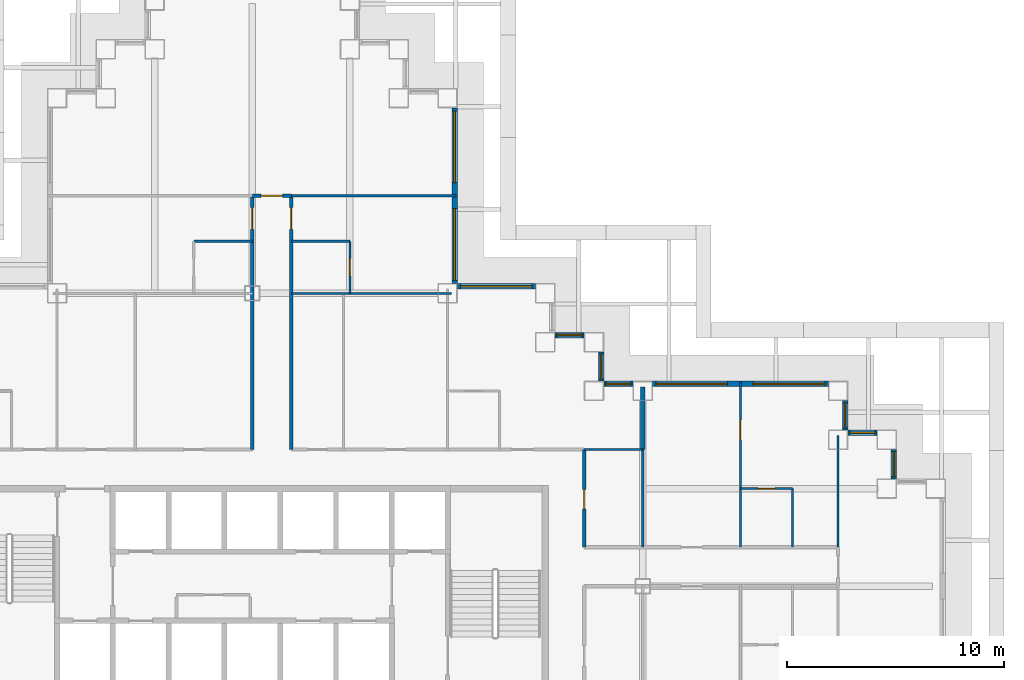
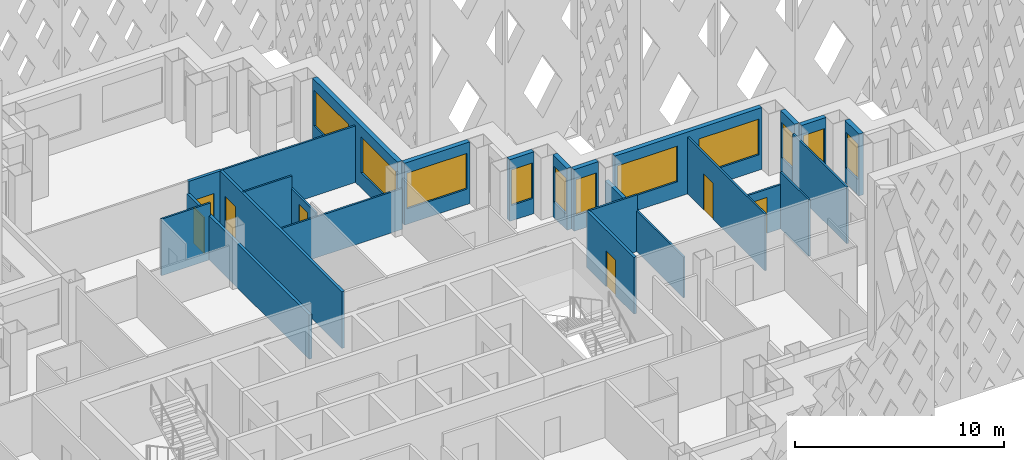
# One storey, part 8 of 21: 25 walls, 11 windows, 7 doors, 18 openings.
"""IFC4 building model written with IfcOpenShell, lengths in metres."""

from ifc_helpers import new_model, si_unit, direction, frame, frame_2d, origin, place, context, subcontext, project, spatial, rectangle, extrude, material, layer, layer_set, type_object, element, fill, save


model = new_model("IFC4")

# Units and contexts
model_context = context("Model", 3, precision=1e-05, world=origin(), true_north=direction((0.0, 1.0)))
body_context = subcontext(model_context, "Body", "Model", "MODEL_VIEW")
ifc_project = project(units=[si_unit("LENGTHUNIT", "METRE"), si_unit("AREAUNIT", "SQUARE_METRE"), si_unit("VOLUMEUNIT", "CUBIC_METRE"), si_unit("PLANEANGLEUNIT", "RADIAN"), si_unit("MASSUNIT", "GRAM", prefix="KILO")], contexts=[model_context])

# Site, building, storey
site_placement = place(None, origin())
site = spatial("IfcSite", under=ifc_project, at=site_placement, CompositionType="ELEMENT")
building_placement = place(site_placement, origin())
building = spatial("IfcBuilding", under=site, at=building_placement, Name="Caravel Reach Hotel and Residences", CompositionType="ELEMENT")
storey_placement = place(building_placement, frame((0.0, 0.0, 100.800048828125)))
storey = spatial("IfcBuildingStorey", under=building, at=storey_placement, Name="L24", CompositionType="ELEMENT", Elevation=100.800048828125)

# Wall, opening, door
ifc_material_1 = material(Name="Gypsum board on steel stud", Category="steel")
ifc_layer_1 = layer(ifc_material_1, 0.10009765625)
ifc_layer_set_1 = layer_set([ifc_layer_1], Name="Bathroom pod wall 100 mm")
wall_type_1 = type_object("IfcWallType", Name="Bathroom pod wall 100 mm", PredefinedType="PARTITIONING", material=ifc_layer_set_1)
wall_1_placement = place(storey_placement, frame((54.0, 31.5, 0.0), z_axis=(0.0, 0.0, 1.0), x_axis=(1.0, 0.0, 0.0)))
wall_1 = element("IfcWall", 1, at=wall_1_placement, inside=storey, type_object=wall_type_1, Name="L24 wall w091", PredefinedType="PARTITIONING", context=body_context, shape_type="SweptSolid", body=[
    extrude(rectangle(XDim=2.39990234375, YDim=0.10009765625, at=frame_2d((1.199951171875, 0.0))), origin(), (0.0, 0.0, 1.0), 2.579833984375),
])
opening_1_placement = place(wall_1_placement, frame((0.800048828125, 0.0, 0.0)))
opening_1 = element("IfcOpeningElement", 2, at=opening_1_placement, cuts=wall_1, Name="Opening D24-027", PredefinedType="OPENING", context=body_context, shape_type="SweptSolid", body=[
    extrude(rectangle(XDim=0.800048828125, YDim=2.10009765625, at=frame_2d((0.39990234375, 1.050048828125))), frame((0.0, 0.06005859375, 0.0), z_axis=(0.0, -1.0, 0.0), x_axis=(1.0, 0.0, 0.0)), (0.0, 0.0, 1.0), 0.1201171875),
])
ifc_material_2 = material(Name="Timber and steel door leaf", Category="steel")
door_type_1 = type_object("IfcDoorType", Name="Bathroom door 800 x 2100", OperationType="SINGLE_SWING_LEFT", PredefinedType="DOOR", material=ifc_material_2)
door_1_placement = place(opening_1_placement, origin())
door_1 = element("IfcDoor", 3, at=door_1_placement, inside=storey, type_object=door_type_1, Name="door D24-027", OperationType="SINGLE_SWING_LEFT", OverallHeight=2.10009765625, OverallWidth=0.800048828125, PredefinedType="DOOR", context=body_context, shape_type="SweptSolid", body=[
    extrude(rectangle(XDim=0.800048828125, YDim=2.10009765625, at=frame_2d((0.39990234375, 1.050048828125))), frame((0.0, 0.02490234375, 0.0), z_axis=(0.0, -1.0, 0.0), x_axis=(1.0, 0.0, 0.0)), (0.0, 0.0, 1.0), 0.050048828125),
])
fill(opening_1, door_1)

# Walls
for number, where, z_axis, x_axis, name in (
    (4, (33.300048828125, 42.89990234375, 0.0), (0.0, 0.0, 1.0), (1.0, 0.0, 0.0), "L24 wall w094"),
    (5, (28.800048828125, 42.89990234375, 0.0), (0.0, 0.0, 1.0), (1.0, 0.0, 0.0), "L24 wall w095"),
):
    element("IfcWall", number, at=place(storey_placement, frame(where, z_axis=z_axis, x_axis=x_axis)), inside=storey, type_object=wall_type_1, Name=name, PredefinedType="PARTITIONING", context=body_context, shape_type="SweptSolid", body=[
        extrude(rectangle(XDim=2.699951171875, YDim=0.10009765625, at=frame_2d((1.35009765625, 0.0))), origin(), (0.0, 0.0, 1.0), 3.300048828125),
    ])

# Wall, opening, door
wall_2_placement = place(storey_placement, frame((36.0, 40.5, 0.0), z_axis=(0.0, 0.0, 1.0), x_axis=(0.0, 1.0, 0.0)))
wall_2 = element("IfcWall", 6, at=wall_2_placement, inside=storey, type_object=wall_type_1, Name="L24 wall w110", PredefinedType="PARTITIONING", context=body_context, shape_type="SweptSolid", body=[
    extrude(rectangle(XDim=2.39990234375, YDim=0.10009765625, at=frame_2d((1.199951171875, 0.0))), origin(), (0.0, 0.0, 1.0), 2.579833984375),
])
opening_2_placement = place(wall_2_placement, frame((0.800048828125, 0.0, 0.0)))
opening_2 = element("IfcOpeningElement", 7, at=opening_2_placement, cuts=wall_2, Name="Opening D24-031", PredefinedType="OPENING", context=body_context, shape_type="SweptSolid", body=[
    extrude(rectangle(XDim=0.800048828125, YDim=2.10009765625, at=frame_2d((0.39990234375, 1.050048828125))), frame((0.0, 0.06005859375, 0.0), z_axis=(0.0, -1.0, 0.0), x_axis=(1.0, 0.0, 0.0)), (0.0, 0.0, 1.0), 0.1201171875),
])
door_2_placement = place(opening_2_placement, origin())
door_2 = element("IfcDoor", 8, at=door_2_placement, inside=storey, type_object=door_type_1, Name="door D24-031", OperationType="SINGLE_SWING_RIGHT", OverallHeight=2.10009765625, OverallWidth=0.800048828125, PredefinedType="DOOR", context=body_context, shape_type="SweptSolid", body=[
    extrude(rectangle(XDim=0.800048828125, YDim=2.10009765625, at=frame_2d((0.39990234375, 1.050048828125))), frame((0.0, 0.02490234375, 0.0), z_axis=(0.0, -1.0, 0.0), x_axis=(1.0, 0.0, 0.0)), (0.0, 0.0, 1.0), 0.050048828125),
])
fill(opening_2, door_2)

# Wall
wall_3_placement = place(storey_placement, frame((56.39990234375, 28.800048828125, 0.0), z_axis=(0.0, 0.0, 1.0), x_axis=(0.0, 1.0, 0.0)))
element("IfcWall", 9, at=wall_3_placement, inside=storey, type_object=wall_type_1, Name="L24 wall w113", PredefinedType="PARTITIONING", context=body_context, shape_type="SweptSolid", body=[
    extrude(rectangle(XDim=2.699951171875, YDim=0.10009765625, at=frame_2d((1.35009765625, 0.0))), origin(), (0.0, 0.0, 1.0), 3.300048828125),
])

# Wall, opening, door
ifc_material_3 = material(Name="Gypsum board on steel stud, fire-rated", Category="steel")
ifc_layer_2 = layer(ifc_material_3, 0.14990234375)
ifc_layer_set_2 = layer_set([ifc_layer_2], Name="Corridor wall 150 mm EI 60")
wall_type_2 = type_object("IfcWallType", Name="Corridor wall 150 mm EI 60", PredefinedType="PARTITIONING", material=ifc_layer_set_2)
wall_4_placement = place(storey_placement, frame((31.5, 45.0, 0.0), z_axis=(0.0, 0.0, 1.0), x_axis=(1.0, 0.0, 0.0)))
wall_4 = element("IfcWall", 10, at=wall_4_placement, inside=storey, type_object=wall_type_2, Name="L24 wall w025", PredefinedType="PARTITIONING", context=body_context, shape_type="SweptSolid", body=[
    extrude(rectangle(XDim=1.800048828125, YDim=0.14990234375, at=frame_2d((0.89990234375, 0.0))), origin(), (0.0, 0.0, 1.0), 3.300048828125),
])
opening_3_placement = place(wall_4_placement, frame((0.39990234375, 0.0, 0.0)))
opening_3 = element("IfcOpeningElement", 11, at=opening_3_placement, cuts=wall_4, Name="Opening D24-042", PredefinedType="OPENING", context=body_context, shape_type="SweptSolid", body=[
    extrude(rectangle(XDim=1.0, YDim=2.10009765625, at=frame_2d((0.5, 1.050048828125))), frame((0.0, 0.0849609375, 0.0), z_axis=(0.0, -1.0, 0.0), x_axis=(1.0, 0.0, 0.0)), (0.0, 0.0, 1.0), 0.169921875),
])
ifc_material_4 = material(Name="Steel fire door leaf", Category="steel")
door_type_2 = type_object("IfcDoorType", Name="Guest room door 1000 x 2100 EI 30", OperationType="SINGLE_SWING_LEFT", PredefinedType="DOOR", material=ifc_material_4)
door_3_placement = place(opening_3_placement, origin())
door_3 = element("IfcDoor", 12, at=door_3_placement, inside=storey, type_object=door_type_2, Name="door D24-042", OperationType="SINGLE_SWING_LEFT", OverallHeight=2.10009765625, OverallWidth=1.0, PredefinedType="DOOR", context=body_context, shape_type="SweptSolid", body=[
    extrude(rectangle(XDim=1.0, YDim=2.10009765625, at=frame_2d((0.5, 1.050048828125))), frame((0.0, 0.02490234375, 0.0), z_axis=(0.0, -1.0, 0.0), x_axis=(1.0, 0.0, 0.0)), (0.0, 0.0, 1.0), 0.050048828125),
])
fill(opening_3, door_3)

wall_5_placement = place(storey_placement, frame((31.5, 33.300048828125, 0.0), z_axis=(0.0, 0.0, 1.0), x_axis=(0.0, 1.0, 0.0)))
wall_5 = element("IfcWall", 13, at=wall_5_placement, inside=storey, type_object=wall_type_2, Name="L24 wall w034", PredefinedType="PARTITIONING", context=body_context, shape_type="SweptSolid", body=[
    extrude(rectangle(XDim=11.699951171875, YDim=0.14990234375, at=frame_2d((5.85009765625, 0.0))), origin(), (0.0, 0.0, 1.0), 2.579833984375),
])
opening_4_placement = place(wall_5_placement, frame((10.14990234375, 0.0, 0.0)))
opening_4 = element("IfcOpeningElement", 14, at=opening_4_placement, cuts=wall_5, Name="Opening D24-028", PredefinedType="OPENING", context=body_context, shape_type="SweptSolid", body=[
    extrude(rectangle(XDim=1.0, YDim=2.10009765625, at=frame_2d((0.5, 1.050048828125))), frame((0.0, 0.0849609375, 0.0), z_axis=(0.0, -1.0, 0.0), x_axis=(1.0, 0.0, 0.0)), (0.0, 0.0, 1.0), 0.169921875),
])
door_4_placement = place(opening_4_placement, origin())
door_4 = element("IfcDoor", 15, at=door_4_placement, inside=storey, type_object=door_type_2, Name="door D24-028", OperationType="SINGLE_SWING_RIGHT", OverallHeight=2.10009765625, OverallWidth=1.0, PredefinedType="DOOR", context=body_context, shape_type="SweptSolid", body=[
    extrude(rectangle(XDim=1.0, YDim=2.10009765625, at=frame_2d((0.5, 1.050048828125))), frame((0.0, 0.02490234375, 0.0), z_axis=(0.0, -1.0, 0.0), x_axis=(1.0, 0.0, 0.0)), (0.0, 0.0, 1.0), 0.050048828125),
])
fill(opening_4, door_4)

wall_6_placement = place(storey_placement, frame((33.300048828125, 33.300048828125, 0.0), z_axis=(0.0, 0.0, 1.0), x_axis=(0.0, 1.0, 0.0)))
wall_6 = element("IfcWall", 16, at=wall_6_placement, inside=storey, type_object=wall_type_2, Name="L24 wall w037", PredefinedType="PARTITIONING", context=body_context, shape_type="SweptSolid", body=[
    extrude(rectangle(XDim=11.699951171875, YDim=0.14990234375, at=frame_2d((5.85009765625, 0.0))), origin(), (0.0, 0.0, 1.0), 3.300048828125),
])
opening_5_placement = place(wall_6_placement, frame((10.14990234375, 0.0, 0.0)))
opening_5 = element("IfcOpeningElement", 17, at=opening_5_placement, cuts=wall_6, Name="Opening D24-030", PredefinedType="OPENING", context=body_context, shape_type="SweptSolid", body=[
    extrude(rectangle(XDim=1.0, YDim=2.10009765625, at=frame_2d((0.5, 1.050048828125))), frame((0.0, 0.0849609375, 0.0), z_axis=(0.0, -1.0, 0.0), x_axis=(1.0, 0.0, 0.0)), (0.0, 0.0, 1.0), 0.169921875),
])
door_5_placement = place(opening_5_placement, origin())
door_5 = element("IfcDoor", 18, at=door_5_placement, inside=storey, type_object=door_type_2, Name="door D24-030", OperationType="SINGLE_SWING_RIGHT", OverallHeight=2.10009765625, OverallWidth=1.0, PredefinedType="DOOR", context=body_context, shape_type="SweptSolid", body=[
    extrude(rectangle(XDim=1.0, YDim=2.10009765625, at=frame_2d((0.5, 1.050048828125))), frame((0.0, 0.02490234375, 0.0), z_axis=(0.0, -1.0, 0.0), x_axis=(1.0, 0.0, 0.0)), (0.0, 0.0, 1.0), 0.050048828125),
])
fill(opening_5, door_5)

wall_7_placement = place(storey_placement, frame((46.800048828125, 28.800048828125, 0.0), z_axis=(0.0, 0.0, 1.0), x_axis=(0.0, 1.0, 0.0)))
wall_7 = element("IfcWall", 19, at=wall_7_placement, inside=storey, type_object=wall_type_2, Name="L24 wall w039", PredefinedType="PARTITIONING", context=body_context, shape_type="SweptSolid", body=[
    extrude(rectangle(XDim=4.5, YDim=0.14990234375, at=frame_2d((2.25, 0.0))), origin(), (0.0, 0.0, 1.0), 3.300048828125),
])
opening_6_placement = place(wall_7_placement, frame((1.75, 0.0, 0.0)))
opening_6 = element("IfcOpeningElement", 20, at=opening_6_placement, cuts=wall_7, Name="Opening D24-064", PredefinedType="OPENING", context=body_context, shape_type="SweptSolid", body=[
    extrude(rectangle(XDim=0.89990234375, YDim=2.10009765625, at=frame_2d((0.449951171875, 1.050048828125))), frame((0.0, 0.0849609375, 0.0), z_axis=(0.0, -1.0, 0.0), x_axis=(1.0, 0.0, 0.0)), (0.0, 0.0, 1.0), 0.169921875),
])
ifc_material_5 = material(Name="Timber and steel door leaf", Category="steel")
door_type_3 = type_object("IfcDoorType", Name="Door 900 x 2100 timber", OperationType="SINGLE_SWING_LEFT", PredefinedType="DOOR", material=ifc_material_5)
door_6_placement = place(opening_6_placement, origin())
door_6 = element("IfcDoor", 21, at=door_6_placement, inside=storey, type_object=door_type_3, Name="door D24-064", OperationType="SINGLE_SWING_LEFT", OverallHeight=2.10009765625, OverallWidth=0.89990234375, PredefinedType="DOOR", context=body_context, shape_type="SweptSolid", body=[
    extrude(rectangle(XDim=0.89990234375, YDim=2.10009765625, at=frame_2d((0.449951171875, 1.050048828125))), frame((0.0, 0.02490234375, 0.0), z_axis=(0.0, -1.0, 0.0), x_axis=(1.0, 0.0, 0.0)), (0.0, 0.0, 1.0), 0.050048828125),
])
fill(opening_6, door_6)

# Wall, opening, window
ifc_material_6 = material(Name="Insulated rainscreen wall, aluminium cladding", Category="aluminium")
ifc_layer_3 = layer(ifc_material_6, 0.25)
ifc_layer_set_3 = layer_set([ifc_layer_3], Name="EW1 Tower rainscreen wall")
wall_type_3 = type_object("IfcWallType", Name="EW1 Tower rainscreen wall", PredefinedType="SOLIDWALL", material=ifc_layer_set_3)
wall_8_placement = place(storey_placement, frame((61.074951171875, 31.949951171875, 0.0), z_axis=(0.0, 0.0, 1.0), x_axis=(0.0, 1.0, 0.0)))
wall_8 = element("IfcWall", 22, at=wall_8_placement, inside=storey, type_object=wall_type_3, Name="External wall L24 E22.1", PredefinedType="SOLIDWALL", context=body_context, shape_type="SweptSolid", body=[
    extrude(rectangle(XDim=1.35009765625, YDim=0.25, at=frame_2d((0.675048828125, 0.0))), origin(), (0.0, 0.0, 1.0), 3.599853515625),
])
opening_7_placement = place(wall_8_placement, frame((0.10009765625, 0.0, 0.89990234375)))
opening_7 = element("IfcOpeningElement", 23, at=opening_7_placement, cuts=wall_8, Name="Opening WN8", PredefinedType="OPENING", context=body_context, shape_type="SweptSolid", body=[
    extrude(rectangle(XDim=1.14990234375, YDim=2.080078125, at=frame_2d((0.574951171875, 1.0400390625))), frame((0.0, 0.135009765625, 0.0), z_axis=(0.0, -1.0, 0.0), x_axis=(1.0, 0.0, 0.0)), (0.0, 0.0, 1.0), 0.27001953125),
])
ifc_material_7 = material(Name="Dark low-e glazing in black aluminium frame", Category="aluminium")
window_type_1 = type_object("IfcWindowType", Name="Hotel suite corner window 1150 x 2080", PartitioningType="SINGLE_PANEL", PredefinedType="WINDOW", material=ifc_material_7)
window_1_placement = place(opening_7_placement, origin())
window_1 = element("IfcWindow", 24, at=window_1_placement, inside=storey, type_object=window_type_1, Name="Window L24 E22.1.1", OverallHeight=2.080078125, OverallWidth=1.14990234375, PartitioningType="SINGLE_PANEL", PredefinedType="WINDOW", context=body_context, shape_type="SweptSolid", body=[
    extrude(rectangle(XDim=1.14990234375, YDim=2.080078125, at=frame_2d((0.574951171875, 1.0400390625))), frame((0.0, 0.030029296875, 0.0), z_axis=(0.0, -1.0, 0.0), x_axis=(1.0, 0.0, 0.0)), (0.0, 0.0, 1.0), 0.06005859375),
])
fill(opening_7, window_1)

wall_9_placement = place(storey_placement, frame((60.300048828125, 34.074951171875, 0.0), z_axis=(0.0, 0.0, 1.0), x_axis=(-1.0, 0.0, 0.0)))
wall_9 = element("IfcWall", 25, at=wall_9_placement, inside=storey, type_object=wall_type_3, Name="External wall L24 N23.1", PredefinedType="SOLIDWALL", context=body_context, shape_type="SweptSolid", body=[
    extrude(rectangle(XDim=1.35009765625, YDim=0.25, at=frame_2d((0.675048828125, 0.0))), origin(), (0.0, 0.0, 1.0), 3.599853515625),
])
opening_8_placement = place(wall_9_placement, frame((0.10009765625, 0.0, 0.89990234375)))
opening_8 = element("IfcOpeningElement", 26, at=opening_8_placement, cuts=wall_9, Name="Opening WN8", PredefinedType="OPENING", context=body_context, shape_type="SweptSolid", body=[
    extrude(rectangle(XDim=1.14990234375, YDim=2.080078125, at=frame_2d((0.574951171875, 1.0400390625))), frame((0.0, 0.135009765625, 0.0), z_axis=(0.0, -1.0, 0.0), x_axis=(1.0, 0.0, 0.0)), (0.0, 0.0, 1.0), 0.27001953125),
])
window_2_placement = place(opening_8_placement, origin())
window_2 = element("IfcWindow", 27, at=window_2_placement, inside=storey, type_object=window_type_1, Name="Window L24 N23.1.1", OverallHeight=2.080078125, OverallWidth=1.14990234375, PartitioningType="SINGLE_PANEL", PredefinedType="WINDOW", context=body_context, shape_type="SweptSolid", body=[
    extrude(rectangle(XDim=1.14990234375, YDim=2.080078125, at=frame_2d((0.574951171875, 1.0400390625))), frame((0.0, 0.030029296875, 0.0), z_axis=(0.0, -1.0, 0.0), x_axis=(1.0, 0.0, 0.0)), (0.0, 0.0, 1.0), 0.06005859375),
])
fill(opening_8, window_2)

wall_10_placement = place(storey_placement, frame((58.824951171875, 34.199951171875, 0.0), z_axis=(0.0, 0.0, 1.0), x_axis=(0.0, 1.0, 0.0)))
wall_10 = element("IfcWall", 28, at=wall_10_placement, inside=storey, type_object=wall_type_3, Name="External wall L24 E24.1", PredefinedType="SOLIDWALL", context=body_context, shape_type="SweptSolid", body=[
    extrude(rectangle(XDim=1.35009765625, YDim=0.25, at=frame_2d((0.675048828125, 0.0))), origin(), (0.0, 0.0, 1.0), 3.599853515625),
])
opening_9_placement = place(wall_10_placement, frame((0.10009765625, 0.0, 0.89990234375)))
opening_9 = element("IfcOpeningElement", 29, at=opening_9_placement, cuts=wall_10, Name="Opening WN8", PredefinedType="OPENING", context=body_context, shape_type="SweptSolid", body=[
    extrude(rectangle(XDim=1.14990234375, YDim=2.080078125, at=frame_2d((0.574951171875, 1.0400390625))), frame((0.0, 0.135009765625, 0.0), z_axis=(0.0, -1.0, 0.0), x_axis=(1.0, 0.0, 0.0)), (0.0, 0.0, 1.0), 0.27001953125),
])
window_3_placement = place(opening_9_placement, origin())
window_3 = element("IfcWindow", 30, at=window_3_placement, inside=storey, type_object=window_type_1, Name="Window L24 E24.1.1", OverallHeight=2.080078125, OverallWidth=1.14990234375, PartitioningType="SINGLE_PANEL", PredefinedType="WINDOW", context=body_context, shape_type="SweptSolid", body=[
    extrude(rectangle(XDim=1.14990234375, YDim=2.080078125, at=frame_2d((0.574951171875, 1.0400390625))), frame((0.0, 0.030029296875, 0.0), z_axis=(0.0, -1.0, 0.0), x_axis=(1.0, 0.0, 0.0)), (0.0, 0.0, 1.0), 0.06005859375),
])
fill(opening_9, window_3)

# Wall, openings, windows
wall_11_placement = place(storey_placement, frame((58.050048828125, 36.324951171875, 0.0), z_axis=(0.0, 0.0, 1.0), x_axis=(-1.0, 0.0, 0.0)))
wall_11 = element("IfcWall", 31, at=wall_11_placement, inside=storey, type_object=wall_type_3, Name="External wall L24 N25.1", PredefinedType="SOLIDWALL", context=body_context, shape_type="SweptSolid", body=[
    extrude(rectangle(XDim=8.10009765625, YDim=0.25, at=frame_2d((4.050048828125, 0.0))), origin(), (0.0, 0.0, 1.0), 3.599853515625),
])
opening_10_placement = place(wall_11_placement, frame((0.14990234375, 0.0, 0.89990234375)))
opening_10 = element("IfcOpeningElement", 32, at=opening_10_placement, cuts=wall_11, Name="Opening WN4", PredefinedType="OPENING", context=body_context, shape_type="SweptSolid", body=[
    extrude(rectangle(XDim=3.300048828125, YDim=2.080078125, at=frame_2d((1.64990234375, 1.0400390625))), frame((0.0, 0.135009765625, 0.0), z_axis=(0.0, -1.0, 0.0), x_axis=(1.0, 0.0, 0.0)), (0.0, 0.0, 1.0), 0.27001953125),
])
opening_11_placement = place(wall_11_placement, frame((4.64990234375, 0.0, 0.89990234375)))
opening_11 = element("IfcOpeningElement", 33, at=opening_11_placement, cuts=wall_11, Name="Opening WN4", PredefinedType="OPENING", context=body_context, shape_type="SweptSolid", body=[
    extrude(rectangle(XDim=3.300048828125, YDim=2.080078125, at=frame_2d((1.64990234375, 1.0400390625))), frame((0.0, 0.135009765625, 0.0), z_axis=(0.0, -1.0, 0.0), x_axis=(1.0, 0.0, 0.0)), (0.0, 0.0, 1.0), 0.27001953125),
])
ifc_material_8 = material(Name="Dark low-e glazing in black aluminium frame", Category="aluminium")
window_type_2 = type_object("IfcWindowType", Name="Hotel guest room window 3300 x 2080", PartitioningType="SINGLE_PANEL", PredefinedType="WINDOW", material=ifc_material_8)
window_4_placement = place(opening_10_placement, origin())
window_4 = element("IfcWindow", 34, at=window_4_placement, inside=storey, type_object=window_type_2, Name="Window L24 N25.1.1", OverallHeight=2.080078125, OverallWidth=3.300048828125, PartitioningType="SINGLE_PANEL", PredefinedType="WINDOW", context=body_context, shape_type="SweptSolid", body=[
    extrude(rectangle(XDim=3.300048828125, YDim=2.080078125, at=frame_2d((1.64990234375, 1.0400390625))), frame((0.0, 0.030029296875, 0.0), z_axis=(0.0, -1.0, 0.0), x_axis=(1.0, 0.0, 0.0)), (0.0, 0.0, 1.0), 0.06005859375),
])
fill(opening_10, window_4)
window_5_placement = place(opening_11_placement, origin())
window_5 = element("IfcWindow", 35, at=window_5_placement, inside=storey, type_object=window_type_2, Name="Window L24 N25.1.2", OverallHeight=2.080078125, OverallWidth=3.300048828125, PartitioningType="SINGLE_PANEL", PredefinedType="WINDOW", context=body_context, shape_type="SweptSolid", body=[
    extrude(rectangle(XDim=3.300048828125, YDim=2.080078125, at=frame_2d((1.64990234375, 1.0400390625))), frame((0.0, 0.030029296875, 0.0), z_axis=(0.0, -1.0, 0.0), x_axis=(1.0, 0.0, 0.0)), (0.0, 0.0, 1.0), 0.06005859375),
])
fill(opening_11, window_5)

# Wall, opening, window
wall_12_placement = place(storey_placement, frame((49.050048828125, 36.324951171875, 0.0), z_axis=(0.0, 0.0, 1.0), x_axis=(-1.0, 0.0, 0.0)))
wall_12 = element("IfcWall", 36, at=wall_12_placement, inside=storey, type_object=wall_type_3, Name="External wall L24 N25.2", PredefinedType="SOLIDWALL", context=body_context, shape_type="SweptSolid", body=[
    extrude(rectangle(XDim=1.35009765625, YDim=0.25, at=frame_2d((0.675048828125, 0.0))), origin(), (0.0, 0.0, 1.0), 3.599853515625),
])
opening_12_placement = place(wall_12_placement, frame((0.10009765625, 0.0, 0.89990234375)))
opening_12 = element("IfcOpeningElement", 37, at=opening_12_placement, cuts=wall_12, Name="Opening WN8", PredefinedType="OPENING", context=body_context, shape_type="SweptSolid", body=[
    extrude(rectangle(XDim=1.14990234375, YDim=2.080078125, at=frame_2d((0.574951171875, 1.0400390625))), frame((0.0, 0.135009765625, 0.0), z_axis=(0.0, -1.0, 0.0), x_axis=(1.0, 0.0, 0.0)), (0.0, 0.0, 1.0), 0.27001953125),
])
window_6_placement = place(opening_12_placement, origin())
window_6 = element("IfcWindow", 38, at=window_6_placement, inside=storey, type_object=window_type_1, Name="Window L24 N25.2.1", OverallHeight=2.080078125, OverallWidth=1.14990234375, PartitioningType="SINGLE_PANEL", PredefinedType="WINDOW", context=body_context, shape_type="SweptSolid", body=[
    extrude(rectangle(XDim=1.14990234375, YDim=2.080078125, at=frame_2d((0.574951171875, 1.0400390625))), frame((0.0, 0.030029296875, 0.0), z_axis=(0.0, -1.0, 0.0), x_axis=(1.0, 0.0, 0.0)), (0.0, 0.0, 1.0), 0.06005859375),
])
fill(opening_12, window_6)

wall_13_placement = place(storey_placement, frame((47.574951171875, 36.449951171875, 0.0), z_axis=(0.0, 0.0, 1.0), x_axis=(0.0, 1.0, 0.0)))
wall_13 = element("IfcWall", 39, at=wall_13_placement, inside=storey, type_object=wall_type_3, Name="External wall L24 E26.1", PredefinedType="SOLIDWALL", context=body_context, shape_type="SweptSolid", body=[
    extrude(rectangle(XDim=1.35009765625, YDim=0.25, at=frame_2d((0.675048828125, 0.0))), origin(), (0.0, 0.0, 1.0), 3.599853515625),
])
opening_13_placement = place(wall_13_placement, frame((0.10009765625, 0.0, 0.89990234375)))
opening_13 = element("IfcOpeningElement", 40, at=opening_13_placement, cuts=wall_13, Name="Opening WN8", PredefinedType="OPENING", context=body_context, shape_type="SweptSolid", body=[
    extrude(rectangle(XDim=1.14990234375, YDim=2.080078125, at=frame_2d((0.574951171875, 1.0400390625))), frame((0.0, 0.135009765625, 0.0), z_axis=(0.0, -1.0, 0.0), x_axis=(1.0, 0.0, 0.0)), (0.0, 0.0, 1.0), 0.27001953125),
])
window_7_placement = place(opening_13_placement, origin())
window_7 = element("IfcWindow", 41, at=window_7_placement, inside=storey, type_object=window_type_1, Name="Window L24 E26.1.1", OverallHeight=2.080078125, OverallWidth=1.14990234375, PartitioningType="SINGLE_PANEL", PredefinedType="WINDOW", context=body_context, shape_type="SweptSolid", body=[
    extrude(rectangle(XDim=1.14990234375, YDim=2.080078125, at=frame_2d((0.574951171875, 1.0400390625))), frame((0.0, 0.030029296875, 0.0), z_axis=(0.0, -1.0, 0.0), x_axis=(1.0, 0.0, 0.0)), (0.0, 0.0, 1.0), 0.06005859375),
])
fill(opening_13, window_7)

wall_14_placement = place(storey_placement, frame((46.800048828125, 38.574951171875, 0.0), z_axis=(0.0, 0.0, 1.0), x_axis=(-1.0, 0.0, 0.0)))
wall_14 = element("IfcWall", 42, at=wall_14_placement, inside=storey, type_object=wall_type_3, Name="External wall L24 N27.1", PredefinedType="SOLIDWALL", context=body_context, shape_type="SweptSolid", body=[
    extrude(rectangle(XDim=1.35009765625, YDim=0.25, at=frame_2d((0.675048828125, 0.0))), origin(), (0.0, 0.0, 1.0), 3.599853515625),
])
opening_14_placement = place(wall_14_placement, frame((0.10009765625, 0.0, 0.89990234375)))
opening_14 = element("IfcOpeningElement", 43, at=opening_14_placement, cuts=wall_14, Name="Opening WN8", PredefinedType="OPENING", context=body_context, shape_type="SweptSolid", body=[
    extrude(rectangle(XDim=1.14990234375, YDim=2.080078125, at=frame_2d((0.574951171875, 1.0400390625))), frame((0.0, 0.135009765625, 0.0), z_axis=(0.0, -1.0, 0.0), x_axis=(1.0, 0.0, 0.0)), (0.0, 0.0, 1.0), 0.27001953125),
])
window_8_placement = place(opening_14_placement, origin())
window_8 = element("IfcWindow", 44, at=window_8_placement, inside=storey, type_object=window_type_1, Name="Window L24 N27.1.1", OverallHeight=2.080078125, OverallWidth=1.14990234375, PartitioningType="SINGLE_PANEL", PredefinedType="WINDOW", context=body_context, shape_type="SweptSolid", body=[
    extrude(rectangle(XDim=1.14990234375, YDim=2.080078125, at=frame_2d((0.574951171875, 1.0400390625))), frame((0.0, 0.030029296875, 0.0), z_axis=(0.0, -1.0, 0.0), x_axis=(1.0, 0.0, 0.0)), (0.0, 0.0, 1.0), 0.06005859375),
])
fill(opening_14, window_8)

wall_15_placement = place(storey_placement, frame((44.550048828125, 40.824951171875, 0.0), z_axis=(0.0, 0.0, 1.0), x_axis=(-1.0, 0.0, 0.0)))
wall_15 = element("IfcWall", 45, at=wall_15_placement, inside=storey, type_object=wall_type_3, Name="External wall L24 N29.1", PredefinedType="SOLIDWALL", context=body_context, shape_type="SweptSolid", body=[
    extrude(rectangle(XDim=3.60009765625, YDim=0.25, at=frame_2d((1.800048828125, 0.0))), origin(), (0.0, 0.0, 1.0), 3.599853515625),
])
opening_15_placement = place(wall_15_placement, frame((0.14990234375, 0.0, 0.89990234375)))
opening_15 = element("IfcOpeningElement", 46, at=opening_15_placement, cuts=wall_15, Name="Opening WN4", PredefinedType="OPENING", context=body_context, shape_type="SweptSolid", body=[
    extrude(rectangle(XDim=3.300048828125, YDim=2.080078125, at=frame_2d((1.64990234375, 1.0400390625))), frame((0.0, 0.135009765625, 0.0), z_axis=(0.0, -1.0, 0.0), x_axis=(1.0, 0.0, 0.0)), (0.0, 0.0, 1.0), 0.27001953125),
])
window_9_placement = place(opening_15_placement, origin())
window_9 = element("IfcWindow", 47, at=window_9_placement, inside=storey, type_object=window_type_2, Name="Window L24 N29.1.1", OverallHeight=2.080078125, OverallWidth=3.300048828125, PartitioningType="SINGLE_PANEL", PredefinedType="WINDOW", context=body_context, shape_type="SweptSolid", body=[
    extrude(rectangle(XDim=3.300048828125, YDim=2.080078125, at=frame_2d((1.64990234375, 1.0400390625))), frame((0.0, 0.030029296875, 0.0), z_axis=(0.0, -1.0, 0.0), x_axis=(1.0, 0.0, 0.0)), (0.0, 0.0, 1.0), 0.06005859375),
])
fill(opening_15, window_9)

# Wall, openings, windows
wall_16_placement = place(storey_placement, frame((40.824951171875, 40.949951171875, 0.0), z_axis=(0.0, 0.0, 1.0), x_axis=(0.0, 1.0, 0.0)))
wall_16 = element("IfcWall", 48, at=wall_16_placement, inside=storey, type_object=wall_type_3, Name="External wall L24 E30.1", PredefinedType="SOLIDWALL", context=body_context, shape_type="SweptSolid", body=[
    extrude(rectangle(XDim=8.10009765625, YDim=0.25, at=frame_2d((4.050048828125, 0.0))), origin(), (0.0, 0.0, 1.0), 3.599853515625),
])
opening_16_placement = place(wall_16_placement, frame((0.14990234375, 0.0, 0.89990234375)))
opening_16 = element("IfcOpeningElement", 49, at=opening_16_placement, cuts=wall_16, Name="Opening WN4", PredefinedType="OPENING", context=body_context, shape_type="SweptSolid", body=[
    extrude(rectangle(XDim=3.300048828125, YDim=2.080078125, at=frame_2d((1.64990234375, 1.0400390625))), frame((0.0, 0.135009765625, 0.0), z_axis=(0.0, -1.0, 0.0), x_axis=(1.0, 0.0, 0.0)), (0.0, 0.0, 1.0), 0.27001953125),
])
opening_17_placement = place(wall_16_placement, frame((4.64990234375, 0.0, 0.89990234375)))
opening_17 = element("IfcOpeningElement", 50, at=opening_17_placement, cuts=wall_16, Name="Opening WN4", PredefinedType="OPENING", context=body_context, shape_type="SweptSolid", body=[
    extrude(rectangle(XDim=3.300048828125, YDim=2.080078125, at=frame_2d((1.64990234375, 1.0400390625))), frame((0.0, 0.135009765625, 0.0), z_axis=(0.0, -1.0, 0.0), x_axis=(1.0, 0.0, 0.0)), (0.0, 0.0, 1.0), 0.27001953125),
])
window_10_placement = place(opening_16_placement, origin())
window_10 = element("IfcWindow", 51, at=window_10_placement, inside=storey, type_object=window_type_2, Name="Window L24 E30.1.1", OverallHeight=2.080078125, OverallWidth=3.300048828125, PartitioningType="SINGLE_PANEL", PredefinedType="WINDOW", context=body_context, shape_type="SweptSolid", body=[
    extrude(rectangle(XDim=3.300048828125, YDim=2.080078125, at=frame_2d((1.64990234375, 1.0400390625))), frame((0.0, 0.030029296875, 0.0), z_axis=(0.0, -1.0, 0.0), x_axis=(1.0, 0.0, 0.0)), (0.0, 0.0, 1.0), 0.06005859375),
])
fill(opening_16, window_10)
window_11_placement = place(opening_17_placement, origin())
window_11 = element("IfcWindow", 52, at=window_11_placement, inside=storey, type_object=window_type_2, Name="Window L24 E30.1.2", OverallHeight=2.080078125, OverallWidth=3.300048828125, PartitioningType="SINGLE_PANEL", PredefinedType="WINDOW", context=body_context, shape_type="SweptSolid", body=[
    extrude(rectangle(XDim=3.300048828125, YDim=2.080078125, at=frame_2d((1.64990234375, 1.0400390625))), frame((0.0, 0.030029296875, 0.0), z_axis=(0.0, -1.0, 0.0), x_axis=(1.0, 0.0, 0.0)), (0.0, 0.0, 1.0), 0.06005859375),
])
fill(opening_17, window_11)

# Walls
ifc_material_9 = material(Name="Gypsum board on steel stud", Category="steel")
ifc_layer_4 = layer(ifc_material_9, 0.10009765625)
ifc_layer_set_4 = layer_set([ifc_layer_4], Name="Partition 100 mm")
wall_type_4 = type_object("IfcWallType", Name="Partition 100 mm", PredefinedType="PARTITIONING", material=ifc_layer_set_4)
wall_17_placement = place(storey_placement, frame((46.800048828125, 33.300048828125, 0.0), z_axis=(0.0, 0.0, 1.0), x_axis=(1.0, 0.0, 0.0)))
element("IfcWall", 53, at=wall_17_placement, inside=storey, type_object=wall_type_4, Name="L24 wall w048", PredefinedType="PARTITIONING", context=body_context, shape_type="SweptSolid", body=[
    extrude(rectangle(XDim=2.699951171875, YDim=0.10009765625, at=frame_2d((1.35009765625, 0.0))), origin(), (0.0, 0.0, 1.0), 3.300048828125),
])
wall_18_placement = place(storey_placement, frame((33.300048828125, 40.5, 0.0), z_axis=(0.0, 0.0, 1.0), x_axis=(1.0, 0.0, 0.0)))
element("IfcWall", 54, at=wall_18_placement, inside=storey, type_object=wall_type_4, Name="L24 wall w049", PredefinedType="PARTITIONING", context=body_context, shape_type="SweptSolid", body=[
    extrude(rectangle(XDim=7.389892578125, YDim=0.10009765625, at=frame_2d((3.69482421875, 0.0))), origin(), (0.0, 0.0, 1.0), 2.3798828125),
])
wall_19_placement = place(storey_placement, frame((33.300048828125, 45.0, 0.0), z_axis=(0.0, 0.0, 1.0), x_axis=(1.0, 0.0, 0.0)))
element("IfcWall", 55, at=wall_19_placement, inside=storey, type_object=wall_type_4, Name="L24 wall w053", PredefinedType="PARTITIONING", context=body_context, shape_type="SweptSolid", body=[
    extrude(rectangle(XDim=7.58984375, YDim=0.10009765625, at=frame_2d((3.794921875, 0.0))), origin(), (0.0, 0.0, 1.0), 3.300048828125),
])
wall_20_placement = place(storey_placement, frame((49.5, 28.800048828125, 0.0), z_axis=(0.0, 0.0, 1.0), x_axis=(0.0, 1.0, 0.0)))
element("IfcWall", 56, at=wall_20_placement, inside=storey, type_object=wall_type_4, Name="L24 wall w064", PredefinedType="PARTITIONING", context=body_context, shape_type="SweptSolid", body=[
    extrude(rectangle(XDim=4.5, YDim=0.10009765625, at=frame_2d((2.25, 0.0))), origin(), (0.0, 0.0, 1.0), 2.3798828125),
])

# Wall, opening, door
wall_21_placement = place(storey_placement, frame((54.0, 28.800048828125, 0.0), z_axis=(0.0, 0.0, 1.0), x_axis=(0.0, 1.0, 0.0)))
wall_21 = element("IfcWall", 57, at=wall_21_placement, inside=storey, type_object=wall_type_4, Name="L24 wall w066", PredefinedType="PARTITIONING", context=body_context, shape_type="SweptSolid", body=[
    extrude(rectangle(XDim=7.58984375, YDim=0.10009765625, at=frame_2d((3.794921875, 0.0))), origin(), (0.0, 0.0, 1.0), 3.300048828125),
])
opening_18_placement = place(wall_21_placement, frame((4.949951171875, 0.0, 0.0)))
opening_18 = element("IfcOpeningElement", 58, at=opening_18_placement, cuts=wall_21, Name="Opening D24-026", PredefinedType="OPENING", context=body_context, shape_type="SweptSolid", body=[
    extrude(rectangle(XDim=0.89990234375, YDim=2.10009765625, at=frame_2d((0.449951171875, 1.050048828125))), frame((0.0, 0.06005859375, 0.0), z_axis=(0.0, -1.0, 0.0), x_axis=(1.0, 0.0, 0.0)), (0.0, 0.0, 1.0), 0.1201171875),
])
door_7_placement = place(opening_18_placement, origin())
door_7 = element("IfcDoor", 59, at=door_7_placement, inside=storey, type_object=door_type_3, Name="door D24-026", OperationType="SINGLE_SWING_RIGHT", OverallHeight=2.10009765625, OverallWidth=0.89990234375, PredefinedType="DOOR", context=body_context, shape_type="SweptSolid", body=[
    extrude(rectangle(XDim=0.89990234375, YDim=2.10009765625, at=frame_2d((0.449951171875, 1.050048828125))), frame((0.0, 0.02490234375, 0.0), z_axis=(0.0, -1.0, 0.0), x_axis=(1.0, 0.0, 0.0)), (0.0, 0.0, 1.0), 0.050048828125),
])
fill(opening_18, door_7)

# Walls
wall_22_placement = place(storey_placement, frame((58.5, 28.800048828125, 0.0), z_axis=(0.0, 0.0, 1.0), x_axis=(0.0, 1.0, 0.0)))
element("IfcWall", 60, at=wall_22_placement, inside=storey, type_object=wall_type_4, Name="L24 wall w068", PredefinedType="PARTITIONING", context=body_context, shape_type="SweptSolid", body=[
    extrude(rectangle(XDim=5.139892578125, YDim=0.10009765625, at=frame_2d((2.56982421875, 0.0))), origin(), (0.0, 0.0, 1.0), 3.300048828125),
])
ifc_material_10 = material(Name="Autoclaved aerated block wall")
ifc_layer_5 = layer(ifc_material_10, 0.199951171875)
ifc_layer_set_5 = layer_set([ifc_layer_5], Name="Party wall 200 mm EI 60")
wall_type_5 = type_object("IfcWallType", Name="Party wall 200 mm EI 60", PredefinedType="PARTITIONING", material=ifc_layer_set_5)
wall_23_placement = place(storey_placement, frame((49.5, 33.300048828125, 0.0), z_axis=(0.0, 0.0, 1.0), x_axis=(0.0, 1.0, 0.0)))
element("IfcWall", 61, at=wall_23_placement, inside=storey, type_object=wall_type_5, Name="L24 wall w078", PredefinedType="PARTITIONING", context=body_context, shape_type="SweptSolid", body=[
    extrude(rectangle(XDim=2.889892578125, YDim=0.199951171875, at=frame_2d((1.44482421875, 0.0))), origin(), (0.0, 0.0, 1.0), 2.3798828125),
])

save(model, "model.ifc")
